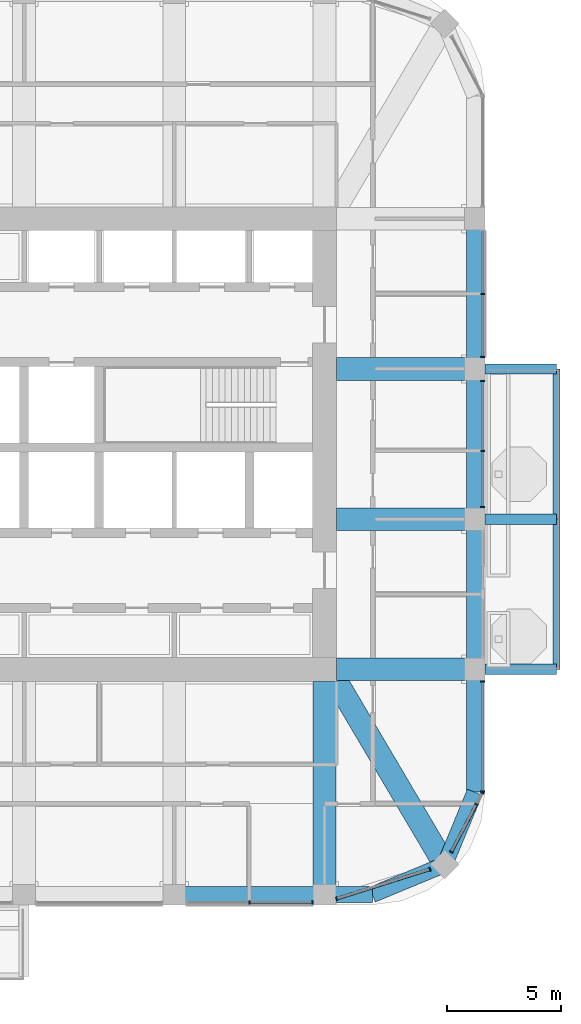
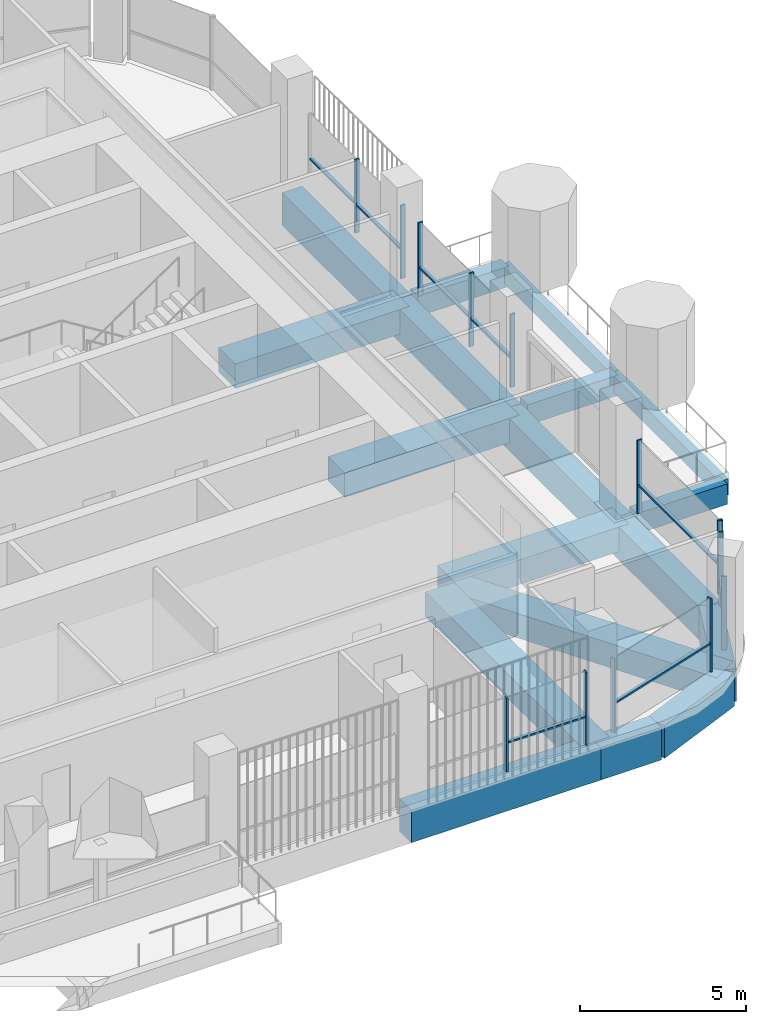
# One storey, part 5 of 20: 22 members, 18 beams, 6 elements without a shape of their own.
"""IFC4 building model written with IfcOpenShell, lengths in metres."""

from ifc_helpers import new_model, si_unit, direction, frame, origin, origin_2d, place, context, subcontext, project, spatial, rectangle, extrude, material, material_profile, profile_set, type_object, element, aggregate, save


model = new_model("IFC4")

# Units and contexts
model_context = context("Model", 3, precision=1e-05, world=origin(), true_north=direction((0.0, 1.0)))
body_context = subcontext(model_context, "Body", "Model", "MODEL_VIEW")
ifc_project = project(units=[si_unit("LENGTHUNIT", "METRE"), si_unit("AREAUNIT", "SQUARE_METRE"), si_unit("VOLUMEUNIT", "CUBIC_METRE"), si_unit("PLANEANGLEUNIT", "RADIAN"), si_unit("MASSUNIT", "GRAM", prefix="KILO")], contexts=[model_context])

# Site, building, storey
site_placement = place(None, origin())
site = spatial("IfcSite", under=ifc_project, at=site_placement, CompositionType="ELEMENT")
building_placement = place(site_placement, origin())
building = spatial("IfcBuilding", under=site, at=building_placement, Name="Cobogo Forest Laboratory Tower", CompositionType="ELEMENT")
storey_placement = place(building_placement, frame((0.0, 0.0, 279.60009765625)))
storey = spatial("IfcBuildingStorey", under=building, at=storey_placement, Name="L64", CompositionType="ELEMENT", Elevation=279.60009765625)

# Beams
ifc_material_1 = material(Name="Concrete HA-40 (C40/50)", Category="concrete")
ifc_material_profile_1 = material_profile(ifc_material_1, rectangle(XDim=0.449951171875, YDim=0.75, at=origin_2d()), Name="RC 450x750")
ifc_profile_set_1 = profile_set([ifc_material_profile_1], Name="Concrete HA-40 (C40/50)")
beam_type_1 = type_object("IfcBeamType", Name="Balcony cantilever beam 450x750", PredefinedType="BEAM", material=ifc_profile_set_1)
for number, where, z_axis, x_axis, name in (
    (1, (46.64990234375, 13.199951171875, -0.625), (1.0, 0.0, 0.0), (0.0, 1.0, 0.0), "CB1 BAL-E1-C1 L64"),
    (2, (46.64990234375, 19.800048828125, -0.625), (1.0, 0.0, 0.0), (0.0, 1.0, 0.0), "CB1 BAL-E1-C2 L64"),
    (3, (46.64990234375, 26.39990234375, -0.625), (1.0, 0.0, 0.0), (0.0, 1.0, 0.0), "CB1 BAL-E1-C3 L64"),
):
    element("IfcBeam", number, at=place(storey_placement, frame(where, z_axis=z_axis, x_axis=x_axis)), inside=storey, type_object=beam_type_1, Name=name, PredefinedType="BEAM", context=body_context, shape_type="SweptSolid", body=[
        extrude(rectangle(XDim=0.449951171875, YDim=0.75, at=origin_2d()), origin(), (0.0, 0.0, 1.0), 3.150146484375),
    ])
ifc_material_profile_2 = material_profile(ifc_material_1, rectangle(XDim=0.300048828125, YDim=0.60009765625, at=origin_2d()), Name="RC 300x600")
ifc_profile_set_2 = profile_set([ifc_material_profile_2], Name="Concrete HA-40 (C40/50)")
beam_type_2 = type_object("IfcBeamType", Name="Balcony edge beam 300x600", PredefinedType="BEAM", material=ifc_profile_set_2)
beam_1_placement = place(storey_placement, frame((49.800048828125, 13.199951171875, -0.550048828125), z_axis=(0.0, 1.0, 0.0), x_axis=(-1.0, 0.0, 0.0)))
element("IfcBeam", 4, at=beam_1_placement, inside=storey, type_object=beam_type_2, Name="BB1 BAL-E1-T1 L64", PredefinedType="BEAM", context=body_context, shape_type="SweptSolid", body=[
    extrude(rectangle(XDim=0.300048828125, YDim=0.60009765625, at=origin_2d()), origin(), (0.0, 0.0, 1.0), 6.60009765625),
])
beam_2_placement = place(storey_placement, frame((49.800048828125, 19.800048828125, -0.550048828125), z_axis=(0.0, 1.0, 0.0), x_axis=(-1.0, 0.0, 0.0)))
element("IfcBeam", 5, at=beam_2_placement, inside=storey, type_object=beam_type_2, Name="BB1 BAL-E1-T2 L64", PredefinedType="BEAM", context=body_context, shape_type="SweptSolid", body=[
    extrude(rectangle(XDim=0.300048828125, YDim=0.60009765625, at=origin_2d()), origin(), (0.0, 0.0, 1.0), 6.599853515625),
])

# Curtain wall, members
ifc_material_2 = material(Name="Aluminium curtain wall", Category="aluminium")
curtain_wall_type = type_object("IfcCurtainWallType", Name="CW-2 unitised curtain wall, solar control glazing, laboratory floors zones C and D", PredefinedType="USERDEFINED", material=ifc_material_2)
curtain_wall_1_placement = place(storey_placement, origin())
curtain_wall_1 = element("IfcCurtainWall", 6, at=curtain_wall_1_placement, inside=storey, type_object=curtain_wall_type, Name="Curtain wall 04 L64", ObjectType="UNITISED CURTAIN WALL", PredefinedType="USERDEFINED")
ifc_material_3 = material(Name="Aluminium mullion", Category="aluminium")
ifc_material_profile_3 = material_profile(ifc_material_3, rectangle(XDim=0.06005859375, YDim=0.159912109375, at=origin_2d()), Name="AL 60x160")
ifc_profile_set_3 = profile_set([ifc_material_profile_3], Name="Aluminium mullion")
member_type_1 = type_object("IfcMemberType", Name="MU-1 aluminium mullion 60x160", PredefinedType="MULLION", material=ifc_profile_set_3)
member_1_placement = place(storey_placement, frame((36.300048828125, 2.949951171875, 0.0), z_axis=(0.0, 0.0, 1.0), x_axis=(1.0, 0.0, 0.0)))
member_1 = element("IfcMember", 7, at=member_1_placement, type_object=member_type_1, Name="CW-2 mullion 2", PredefinedType="MULLION", context=body_context, shape_type="SweptSolid", body=[
    extrude(rectangle(XDim=0.06005859375, YDim=0.159912109375, at=origin_2d()), origin(), (0.0, 0.0, 1.0), 2.699951171875),
])
member_2_placement = place(storey_placement, frame((39.070068359375, 2.949951171875, 0.0), z_axis=(0.0, 0.0, 1.0), x_axis=(1.0, 0.0, 0.0)))
member_2 = element("IfcMember", 8, at=member_2_placement, type_object=member_type_1, Name="CW-2 mullion 3", PredefinedType="MULLION", context=body_context, shape_type="SweptSolid", body=[
    extrude(rectangle(XDim=0.06005859375, YDim=0.159912109375, at=origin_2d()), origin(), (0.0, 0.0, 1.0), 2.699951171875),
])

curtain_wall_2_placement = place(storey_placement, origin())
curtain_wall_2 = element("IfcCurtainWall", 9, at=curtain_wall_2_placement, inside=storey, type_object=curtain_wall_type, Name="Curtain wall 05 L64", ObjectType="UNITISED CURTAIN WALL", PredefinedType="USERDEFINED")
member_3_placement = place(storey_placement, frame((40.128662109375, 3.116943359375, 0.0), z_axis=(0.0, 0.0, 1.0), x_axis=(0.953581379409, 0.301135439371, 0.0)))
member_3 = element("IfcMember", 10, at=member_3_placement, type_object=member_type_1, Name="CW-2 mullion 1", PredefinedType="MULLION", context=body_context, shape_type="SweptSolid", body=[
    extrude(rectangle(XDim=0.06005859375, YDim=0.159912109375, at=origin_2d()), origin(), (0.0, 0.0, 1.0), 2.699951171875),
])
member_4_placement = place(storey_placement, frame((44.22998046875, 4.412109375, 0.0), z_axis=(0.0, 0.0, 1.0), x_axis=(0.953581379409, 0.301135439371, 0.0)))
member_4 = element("IfcMember", 11, at=member_4_placement, type_object=member_type_1, Name="CW-2 mullion 2", PredefinedType="MULLION", context=body_context, shape_type="SweptSolid", body=[
    extrude(rectangle(XDim=0.06005859375, YDim=0.159912109375, at=origin_2d()), origin(), (0.0, 0.0, 1.0), 2.699951171875),
])

curtain_wall_3_placement = place(storey_placement, origin())
curtain_wall_3 = element("IfcCurtainWall", 12, at=curtain_wall_3_placement, inside=storey, type_object=curtain_wall_type, Name="Curtain wall 06 L64", ObjectType="UNITISED CURTAIN WALL", PredefinedType="USERDEFINED")
member_5_placement = place(storey_placement, frame((45.177978515625, 5.1826171875, 0.0), z_axis=(0.0, 0.0, 1.0), x_axis=(0.464283778337, 0.885686498245, 0.0)))
member_5 = element("IfcMember", 13, at=member_5_placement, type_object=member_type_1, Name="CW-2 mullion 1", PredefinedType="MULLION", context=body_context, shape_type="SweptSolid", body=[
    extrude(rectangle(XDim=0.06005859375, YDim=0.159912109375, at=origin_2d()), origin(), (0.0, 0.0, 1.0), 2.699951171875),
])
member_6_placement = place(storey_placement, frame((46.268310546875, 7.262939453125, 0.0), z_axis=(0.0, 0.0, 1.0), x_axis=(0.464283778337, 0.885686498245, 0.0)))
member_6 = element("IfcMember", 14, at=member_6_placement, type_object=member_type_1, Name="CW-2 mullion 2", PredefinedType="MULLION", context=body_context, shape_type="SweptSolid", body=[
    extrude(rectangle(XDim=0.06005859375, YDim=0.159912109375, at=origin_2d()), origin(), (0.0, 0.0, 1.0), 2.699951171875),
])
member_7_placement = place(storey_placement, frame((46.5361328125, 7.7734375, 0.0), z_axis=(0.0, 0.0, 1.0), x_axis=(0.464283778337, 0.885686498245, 0.0)))
member_7 = element("IfcMember", 15, at=member_7_placement, type_object=member_type_1, Name="CW-2 mullion 3", PredefinedType="MULLION", context=body_context, shape_type="SweptSolid", body=[
    extrude(rectangle(XDim=0.06005859375, YDim=0.159912109375, at=origin_2d()), origin(), (0.0, 0.0, 1.0), 2.699951171875),
])

curtain_wall_4_placement = place(storey_placement, origin())
curtain_wall_4 = element("IfcCurtainWall", 16, at=curtain_wall_4_placement, inside=storey, type_object=curtain_wall_type, Name="Curtain wall 07 L64", ObjectType="UNITISED CURTAIN WALL", PredefinedType="USERDEFINED")
member_8_placement = place(storey_placement, frame((46.550048828125, 7.830078125, 0.0), z_axis=(0.0, 0.0, 1.0), x_axis=(0.0, 1.0, 0.0)))
member_8 = element("IfcMember", 17, at=member_8_placement, type_object=member_type_1, Name="CW-2 mullion 1", PredefinedType="MULLION", context=body_context, shape_type="SweptSolid", body=[
    extrude(rectangle(XDim=0.06005859375, YDim=0.159912109375, at=origin_2d()), origin(), (0.0, 0.0, 1.0), 2.699951171875),
])
member_9_placement = place(storey_placement, frame((46.550048828125, 12.669921875, 0.0), z_axis=(0.0, 0.0, 1.0), x_axis=(0.0, 1.0, 0.0)))
member_9 = element("IfcMember", 18, at=member_9_placement, type_object=member_type_1, Name="CW-2 mullion 2", PredefinedType="MULLION", context=body_context, shape_type="SweptSolid", body=[
    extrude(rectangle(XDim=0.06005859375, YDim=0.159912109375, at=origin_2d()), origin(), (0.0, 0.0, 1.0), 2.699951171875),
])

curtain_wall_5_placement = place(storey_placement, origin())
curtain_wall_5 = element("IfcCurtainWall", 19, at=curtain_wall_5_placement, inside=storey, type_object=curtain_wall_type, Name="Curtain wall 09 L64", ObjectType="UNITISED CURTAIN WALL", PredefinedType="USERDEFINED")
member_10_placement = place(storey_placement, frame((46.550048828125, 20.330078125, 0.0), z_axis=(0.0, 0.0, 1.0), x_axis=(0.0, 1.0, 0.0)))
member_10 = element("IfcMember", 20, at=member_10_placement, type_object=member_type_1, Name="CW-2 mullion 1", PredefinedType="MULLION", context=body_context, shape_type="SweptSolid", body=[
    extrude(rectangle(XDim=0.06005859375, YDim=0.159912109375, at=origin_2d()), origin(), (0.0, 0.0, 1.0), 2.699951171875),
])
member_11_placement = place(storey_placement, frame((46.550048828125, 22.800048828125, 0.0), z_axis=(0.0, 0.0, 1.0), x_axis=(0.0, 1.0, 0.0)))
member_11 = element("IfcMember", 21, at=member_11_placement, type_object=member_type_1, Name="CW-2 mullion 2", PredefinedType="MULLION", context=body_context, shape_type="SweptSolid", body=[
    extrude(rectangle(XDim=0.06005859375, YDim=0.159912109375, at=origin_2d()), origin(), (0.0, 0.0, 1.0), 2.699951171875),
])
member_12_placement = place(storey_placement, frame((46.550048828125, 25.8701171875, 0.0), z_axis=(0.0, 0.0, 1.0), x_axis=(0.0, 1.0, 0.0)))
member_12 = element("IfcMember", 22, at=member_12_placement, type_object=member_type_1, Name="CW-2 mullion 3", PredefinedType="MULLION", context=body_context, shape_type="SweptSolid", body=[
    extrude(rectangle(XDim=0.06005859375, YDim=0.159912109375, at=origin_2d()), origin(), (0.0, 0.0, 1.0), 2.699951171875),
])

curtain_wall_6_placement = place(storey_placement, origin())
curtain_wall_6 = element("IfcCurtainWall", 23, at=curtain_wall_6_placement, inside=storey, type_object=curtain_wall_type, Name="Curtain wall 10 L64", ObjectType="UNITISED CURTAIN WALL", PredefinedType="USERDEFINED")
member_13_placement = place(storey_placement, frame((46.550048828125, 26.929931640625, 0.0), z_axis=(0.0, 0.0, 1.0), x_axis=(0.0, 1.0, 0.0)))
member_13 = element("IfcMember", 24, at=member_13_placement, type_object=member_type_1, Name="CW-2 mullion 1", PredefinedType="MULLION", context=body_context, shape_type="SweptSolid", body=[
    extrude(rectangle(XDim=0.06005859375, YDim=0.159912109375, at=origin_2d()), origin(), (0.0, 0.0, 1.0), 2.699951171875),
])
member_14_placement = place(storey_placement, frame((46.550048828125, 29.699951171875, 0.0), z_axis=(0.0, 0.0, 1.0), x_axis=(0.0, 1.0, 0.0)))
member_14 = element("IfcMember", 25, at=member_14_placement, type_object=member_type_1, Name="CW-2 mullion 2", PredefinedType="MULLION", context=body_context, shape_type="SweptSolid", body=[
    extrude(rectangle(XDim=0.06005859375, YDim=0.159912109375, at=origin_2d()), origin(), (0.0, 0.0, 1.0), 2.699951171875),
])

# Beams
ifc_material_profile_4 = material_profile(ifc_material_1, rectangle(XDim=1.0, YDim=0.89990234375, at=origin_2d()), Name="RC 1000x900")
ifc_profile_set_4 = profile_set([ifc_material_profile_4], Name="Concrete HA-40 (C40/50)")
beam_type_3 = type_object("IfcBeamType", Name="Office floor wide beam 1000x900", PredefinedType="BEAM", material=ifc_profile_set_4)
beam_3_placement = place(storey_placement, frame((39.60009765625, 12.675048828125, -0.75), z_axis=(0.0, -1.0, 0.0), x_axis=(1.0, 0.0, 0.0)))
element("IfcBeam", 26, at=beam_3_placement, inside=storey, type_object=beam_type_3, Name="RB2 R-7-S L64", PredefinedType="BEAM", context=body_context, shape_type="SweptSolid", body=[
    extrude(rectangle(XDim=1.0, YDim=0.89990234375, at=origin_2d()), origin(), (0.0, 0.0, 1.0), 9.375),
])
for number, where, z_axis, x_axis, name in (
    (27, (40.125, 13.199951171875, -0.75), (1.0, 0.0, 0.0), (0.0, 1.0, 0.0), "RB2 R-C-E L64"),
    (28, (40.125, 19.800048828125, -0.75), (1.0, 0.0, 0.0), (0.0, 1.0, 0.0), "RB2 R-D-E L64"),
    (29, (40.125, 26.39990234375, -0.75), (1.0, 0.0, 0.0), (0.0, 1.0, 0.0), "RB2 R-E-E L64"),
):
    element("IfcBeam", number, at=place(storey_placement, frame(where, z_axis=z_axis, x_axis=x_axis)), inside=storey, type_object=beam_type_3, Name=name, PredefinedType="BEAM", context=body_context, shape_type="SweptSolid", body=[
        extrude(rectangle(XDim=1.0, YDim=0.89990234375, at=origin_2d()), origin(), (0.0, 0.0, 1.0), 6.074951171875),
    ])
beam_4_placement = place(storey_placement, frame((44.882080078125, 4.617919921875, -0.75), z_axis=(-0.508416325908, 0.861111397875, 0.0), x_axis=(-0.861111397875, -0.508416325908, 0.0)))
element("IfcBeam", 30, at=beam_4_placement, inside=storey, type_object=beam_type_3, Name="RB2 G-SE-D1 L64", PredefinedType="BEAM", context=body_context, shape_type="SweptSolid", body=[
    extrude(rectangle(XDim=1.0, YDim=0.89990234375, at=origin_2d()), origin(), (0.0, 0.0, 1.0), 9.356689453125),
])
ifc_material_profile_5 = material_profile(ifc_material_1, rectangle(XDim=0.699951171875, YDim=1.199951171875, at=origin_2d()), Name="RC 700x1200")
ifc_profile_set_5 = profile_set([ifc_material_profile_5], Name="Concrete HA-40 (C40/50)")
beam_type_4 = type_object("IfcBeamType", Name="Perimeter edge beam 700x1200", PredefinedType="BEAM", material=ifc_profile_set_5)
for number, where, z_axis, x_axis, name in (
    (31, (33.0, 3.300048828125, -0.900146484375), (1.0, 0.0, 0.0), (0.0, 1.0, 0.0), "EB1 E-S4 L64"),
    (32, (46.199951171875, 13.199951171875, -0.900146484375), (0.0, 1.0, 0.0), (-1.0, 0.0, 0.0), "EB1 E-E1 L64"),
):
    element("IfcBeam", number, at=place(storey_placement, frame(where, z_axis=z_axis, x_axis=x_axis)), inside=storey, type_object=beam_type_4, Name=name, PredefinedType="BEAM", context=body_context, shape_type="SweptSolid", body=[
        extrude(rectangle(XDim=0.699951171875, YDim=1.199951171875, at=origin_2d()), origin(), (0.0, 0.0, 1.0), 6.60009765625),
    ])
beam_5_placement = place(storey_placement, frame((46.199951171875, 19.800048828125, -0.900146484375), z_axis=(0.0, 1.0, 0.0), x_axis=(-1.0, 0.0, 0.0)))
element("IfcBeam", 33, at=beam_5_placement, inside=storey, type_object=beam_type_4, Name="EB1 E-E2 L64", PredefinedType="BEAM", context=body_context, shape_type="SweptSolid", body=[
    extrude(rectangle(XDim=0.699951171875, YDim=1.199951171875, at=origin_2d()), origin(), (0.0, 0.0, 1.0), 6.599853515625),
])
beam_6_placement = place(storey_placement, frame((46.199951171875, 26.39990234375, -0.900146484375), z_axis=(0.0, 1.0, 0.0), x_axis=(-1.0, 0.0, 0.0)))
element("IfcBeam", 34, at=beam_6_placement, inside=storey, type_object=beam_type_4, Name="EB1 E-E3 L64", PredefinedType="BEAM", context=body_context, shape_type="SweptSolid", body=[
    extrude(rectangle(XDim=0.699951171875, YDim=1.199951171875, at=origin_2d()), origin(), (0.0, 0.0, 1.0), 6.60009765625),
])
beam_7_placement = place(storey_placement, frame((39.60009765625, 3.300048828125, -0.900146484375), z_axis=(1.0, 0.0, 0.0), x_axis=(0.0, 1.0, 0.0)))
element("IfcBeam", 35, at=beam_7_placement, inside=storey, type_object=beam_type_4, Name="EB1 E-SES1 L64", PredefinedType="BEAM", context=body_context, shape_type="SweptSolid", body=[
    extrude(rectangle(XDim=0.699951171875, YDim=1.199951171875, at=origin_2d()), origin(), (0.0, 0.0, 1.0), 2.099853515625),
])
beam_8_placement = place(storey_placement, frame((41.699951171875, 3.300048828125, -0.900146484375), z_axis=(0.923901072997, 0.382631424892, 0.0), x_axis=(-0.382631424892, 0.923901072997, 0.0)))
element("IfcBeam", 36, at=beam_8_placement, inside=storey, type_object=beam_type_4, Name="EB1 E-SES2 L64", PredefinedType="BEAM", context=body_context, shape_type="SweptSolid", body=[
    extrude(rectangle(XDim=0.699951171875, YDim=1.199951171875, at=origin_2d()), origin(), (0.0, 0.0, 1.0), 3.4443359375),
])
beam_9_placement = place(storey_placement, frame((46.199951171875, 13.199951171875, -0.900146484375), z_axis=(0.0, -1.0, 0.0), x_axis=(1.0, 0.0, 0.0)))
element("IfcBeam", 37, at=beam_9_placement, inside=storey, type_object=beam_type_4, Name="EB1 E-SEE1 L64", PredefinedType="BEAM", context=body_context, shape_type="SweptSolid", body=[
    extrude(rectangle(XDim=0.699951171875, YDim=1.199951171875, at=origin_2d()), origin(), (0.0, 0.0, 1.0), 5.39990234375),
])
beam_10_placement = place(storey_placement, frame((46.199951171875, 7.800048828125, -0.900146484375), z_axis=(-0.382631424892, -0.923901072997, 0.0), x_axis=(0.923901072997, -0.382631424892, 0.0)))
element("IfcBeam", 38, at=beam_10_placement, inside=storey, type_object=beam_type_4, Name="EB1 E-SEE2 L64", PredefinedType="BEAM", context=body_context, shape_type="SweptSolid", body=[
    extrude(rectangle(XDim=0.699951171875, YDim=1.199951171875, at=origin_2d()), origin(), (0.0, 0.0, 1.0), 3.4443359375),
])

# Member
ifc_material_4 = material(Name="Aluminium transom", Category="aluminium")
ifc_material_profile_6 = material_profile(ifc_material_4, rectangle(XDim=0.1201171875, YDim=0.06005859375, at=origin_2d()), Name="AL 60x120")
ifc_profile_set_6 = profile_set([ifc_material_profile_6], Name="Aluminium transom")
member_type_2 = type_object("IfcMemberType", Name="TR-1 aluminium transom 60x120", PredefinedType="USERDEFINED", material=ifc_profile_set_6)
member_15_placement = place(storey_placement, frame((36.330078125, 2.949951171875, 1.0498046875), z_axis=(1.0, 0.0, 0.0), x_axis=(0.0, 1.0, 0.0)))
member_15 = element("IfcMember", 39, at=member_15_placement, type_object=member_type_2, Name="CW-2 transom 2.1", ObjectType="TRANSOM", PredefinedType="USERDEFINED", context=body_context, shape_type="SweptSolid", body=[
    extrude(rectangle(XDim=0.1201171875, YDim=0.06005859375, at=origin_2d()), origin(), (0.0, 0.0, 1.0), 2.7099609375),
])

aggregate(curtain_wall_1, [member_1, member_2, member_15])

member_16_placement = place(storey_placement, frame((40.1572265625, 3.1259765625, 1.0498046875), z_axis=(0.953583535148, 0.30112861288, 0.0), x_axis=(-0.30112861288, 0.953583535148, 0.0)))
member_16 = element("IfcMember", 40, at=member_16_placement, type_object=member_type_2, Name="CW-2 transom 1.1", ObjectType="TRANSOM", PredefinedType="USERDEFINED", context=body_context, shape_type="SweptSolid", body=[
    extrude(rectangle(XDim=0.1201171875, YDim=0.06005859375, at=origin_2d()), origin(), (0.0, 0.0, 1.0), 4.240966796875),
])

aggregate(curtain_wall_2, [member_3, member_4, member_16])

member_17_placement = place(storey_placement, frame((45.19189453125, 5.209228515625, 1.0498046875), z_axis=(0.46424215306, 0.885708317293, 0.0), x_axis=(-0.885708317293, 0.46424215306, 0.0)))
member_17 = element("IfcMember", 41, at=member_17_placement, type_object=member_type_2, Name="CW-2 transom 1.1", ObjectType="TRANSOM", PredefinedType="USERDEFINED", context=body_context, shape_type="SweptSolid", body=[
    extrude(rectangle(XDim=0.1201171875, YDim=0.06005859375, at=origin_2d()), origin(), (0.0, 0.0, 1.0), 2.28857421875),
])

aggregate(curtain_wall_3, [member_5, member_6, member_7, member_17])

member_18_placement = place(storey_placement, frame((46.550048828125, 7.860107421875, 1.0498046875), z_axis=(0.0, 1.0, 0.0), x_axis=(-1.0, 0.0, 0.0)))
member_18 = element("IfcMember", 42, at=member_18_placement, type_object=member_type_2, Name="CW-2 transom 1.1", ObjectType="TRANSOM", PredefinedType="USERDEFINED", context=body_context, shape_type="SweptSolid", body=[
    extrude(rectangle(XDim=0.1201171875, YDim=0.06005859375, at=origin_2d()), origin(), (0.0, 0.0, 1.0), 4.77978515625),
])

aggregate(curtain_wall_4, [member_8, member_9, member_18])

member_19_placement = place(storey_placement, frame((46.550048828125, 20.360107421875, 1.0498046875), z_axis=(0.0, 1.0, 0.0), x_axis=(-1.0, 0.0, 0.0)))
member_19 = element("IfcMember", 43, at=member_19_placement, type_object=member_type_2, Name="CW-2 transom 1.1", ObjectType="TRANSOM", PredefinedType="USERDEFINED", context=body_context, shape_type="SweptSolid", body=[
    extrude(rectangle(XDim=0.1201171875, YDim=0.06005859375, at=origin_2d()), origin(), (0.0, 0.0, 1.0), 2.409912109375),
])

member_20_placement = place(storey_placement, frame((46.550048828125, 22.830078125, 1.0498046875), z_axis=(0.0, 1.0, 0.0), x_axis=(-1.0, 0.0, 0.0)))
member_20 = element("IfcMember", 44, at=member_20_placement, type_object=member_type_2, Name="CW-2 transom 2.1", ObjectType="TRANSOM", PredefinedType="USERDEFINED", context=body_context, shape_type="SweptSolid", body=[
    extrude(rectangle(XDim=0.1201171875, YDim=0.06005859375, at=origin_2d()), origin(), (0.0, 0.0, 1.0), 3.010009765625),
])

aggregate(curtain_wall_5, [member_10, member_11, member_12, member_19, member_20])

member_21_placement = place(storey_placement, frame((46.550048828125, 26.9599609375, 1.0498046875), z_axis=(0.0, 1.0, 0.0), x_axis=(-1.0, 0.0, 0.0)))
member_21 = element("IfcMember", 45, at=member_21_placement, type_object=member_type_2, Name="CW-2 transom 1.1", ObjectType="TRANSOM", PredefinedType="USERDEFINED", context=body_context, shape_type="SweptSolid", body=[
    extrude(rectangle(XDim=0.1201171875, YDim=0.06005859375, at=origin_2d()), origin(), (0.0, 0.0, 1.0), 2.7099609375),
])

member_22_placement = place(storey_placement, frame((46.550048828125, 29.72998046875, 1.0498046875), z_axis=(0.0, 1.0, 0.0), x_axis=(-1.0, 0.0, 0.0)))
member_22 = element("IfcMember", 46, at=member_22_placement, type_object=member_type_2, Name="CW-2 transom 2.1", ObjectType="TRANSOM", PredefinedType="USERDEFINED", context=body_context, shape_type="SweptSolid", body=[
    extrude(rectangle(XDim=0.1201171875, YDim=0.06005859375, at=origin_2d()), origin(), (0.0, 0.0, 1.0), 2.7099609375),
])

aggregate(curtain_wall_6, [member_13, member_14, member_21, member_22])

save(model, "model.ifc")
